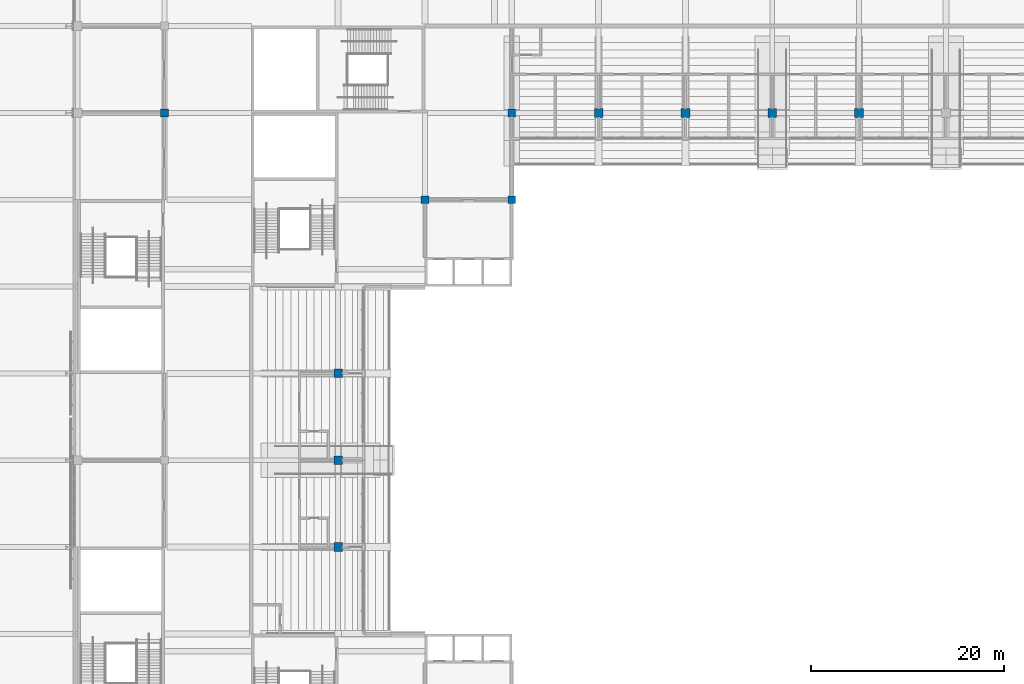
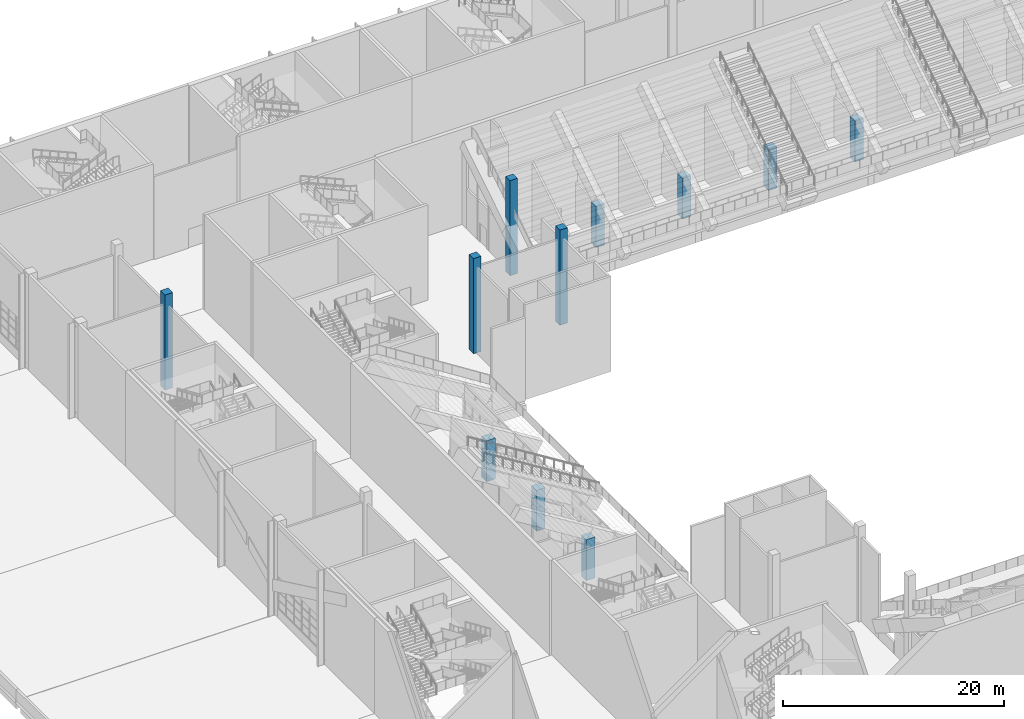
# One storey, part 8 of 182: 11 columns.
"""IFC4 building model written with IfcOpenShell, lengths in metres."""

from ifc_helpers import new_model, si_unit, direction, frame, origin, origin_2d, place, context, subcontext, project, spatial, rectangle, extrude, material, material_profile, profile_set, type_object, element, save


model = new_model("IFC4")

# Units and contexts
model_context = context("Model", 3, precision=1e-05, world=origin(), true_north=direction((0.0, 1.0)))
body_context = subcontext(model_context, "Body", "Model", "MODEL_VIEW")
ifc_project = project(units=[si_unit("LENGTHUNIT", "METRE"), si_unit("AREAUNIT", "SQUARE_METRE"), si_unit("VOLUMEUNIT", "CUBIC_METRE"), si_unit("PLANEANGLEUNIT", "RADIAN"), si_unit("MASSUNIT", "GRAM", prefix="KILO")], contexts=[model_context])

# Site, building, storey
site_placement = place(None, origin())
site = spatial("IfcSite", under=ifc_project, at=site_placement, CompositionType="ELEMENT")
building_placement = place(site_placement, origin())
building = spatial("IfcBuilding", under=site, at=building_placement, Name="Silverbay Arena", CompositionType="ELEMENT")
storey_placement = place(building_placement, frame((0.0, 0.0, 11.5)))
storey = spatial("IfcBuildingStorey", under=building, at=storey_placement, Name="L02", CompositionType="ELEMENT", Elevation=11.5)

# Columns
ifc_material_1 = material(Name="Concrete Grade C45", Category="concrete")
ifc_material_profile_1 = material_profile(ifc_material_1, rectangle(XDim=0.800048828125, YDim=0.800048828125, at=origin_2d()), Name="RC 800x800")
ifc_profile_set_1 = profile_set([ifc_material_profile_1], Name="Concrete Grade C45")
column_type_1 = type_object("IfcColumnType", Name="RC column 800x800", PredefinedType="COLUMN", material=ifc_profile_set_1)
for number, where, z_axis, x_axis, name in (
    (1, (63.0, 117.0, 0.0), (0.0, 0.0, 1.0), (1.0, 0.0, 0.0), "Column 8/P L02"),
    (2, (90.0, 108.0, 0.0), (0.0, 0.0, 1.0), (1.0, 0.0, 0.0), "Column 11/N L02"),
    (3, (99.0, 108.0, 0.0), (0.0, 0.0, 1.0), (1.0, 0.0, 0.0), "Column 12/N L02"),
    (4, (99.0, 117.0, 0.0), (0.0, 0.0, 1.0), (1.0, 0.0, 0.0), "Column 12/P L02"),
):
    element("IfcColumn", number, at=place(storey_placement, frame(where, z_axis=z_axis, x_axis=x_axis)), inside=storey, type_object=column_type_1, Name=name, PredefinedType="COLUMN", context=body_context, shape_type="SweptSolid", body=[
        extrude(rectangle(XDim=0.800048828125, YDim=0.800048828125, at=origin_2d()), origin(), (0.0, 0.0, 1.0), 10.5),
    ])
ifc_material_2 = material(Name="Concrete Grade C45", Category="concrete")
ifc_material_profile_2 = material_profile(ifc_material_2, rectangle(XDim=0.89990234375, YDim=0.89990234375, at=origin_2d()), Name="RC 900x900")
ifc_profile_set_2 = profile_set([ifc_material_profile_2], Name="Concrete Grade C45")
column_type_2 = type_object("IfcColumnType", Name="RC column 900x900", PredefinedType="COLUMN", material=ifc_profile_set_2)
for number, where, z_axis, x_axis, name in (
    (5, (108.0, 117.0, 0.0), (0.0, 0.0, 1.0), (1.0, 0.0, 0.0), "Column 13/P L02"),
    (6, (117.0, 117.0, 0.0), (0.0, 0.0, 1.0), (1.0, 0.0, 0.0), "Column 14/P L02"),
    (7, (126.0, 117.0, 0.0), (0.0, 0.0, 1.0), (1.0, 0.0, 0.0), "Column 15/P L02"),
    (8, (135.0, 117.0, 0.0), (0.0, 0.0, 1.0), (1.0, 0.0, 0.0), "Column 16/P L02"),
    (9, (81.0, 72.0, 0.0), (0.0, 0.0, 1.0), (1.0, 0.0, 0.0), "Column 10/J L02"),
    (10, (81.0, 81.0, 0.0), (0.0, 0.0, 1.0), (1.0, 0.0, 0.0), "Column 10/K L02"),
    (11, (81.0, 90.0, 0.0), (0.0, 0.0, 1.0), (1.0, 0.0, 0.0), "Column 10/L L02"),
):
    element("IfcColumn", number, at=place(storey_placement, frame(where, z_axis=z_axis, x_axis=x_axis)), inside=storey, type_object=column_type_2, Name=name, PredefinedType="COLUMN", context=body_context, shape_type="SweptSolid", body=[
        extrude(rectangle(XDim=0.89990234375, YDim=0.89990234375, at=origin_2d()), origin(), (0.0, 0.0, 1.0), 4.505615234375),
    ])

save(model, "model.ifc")
